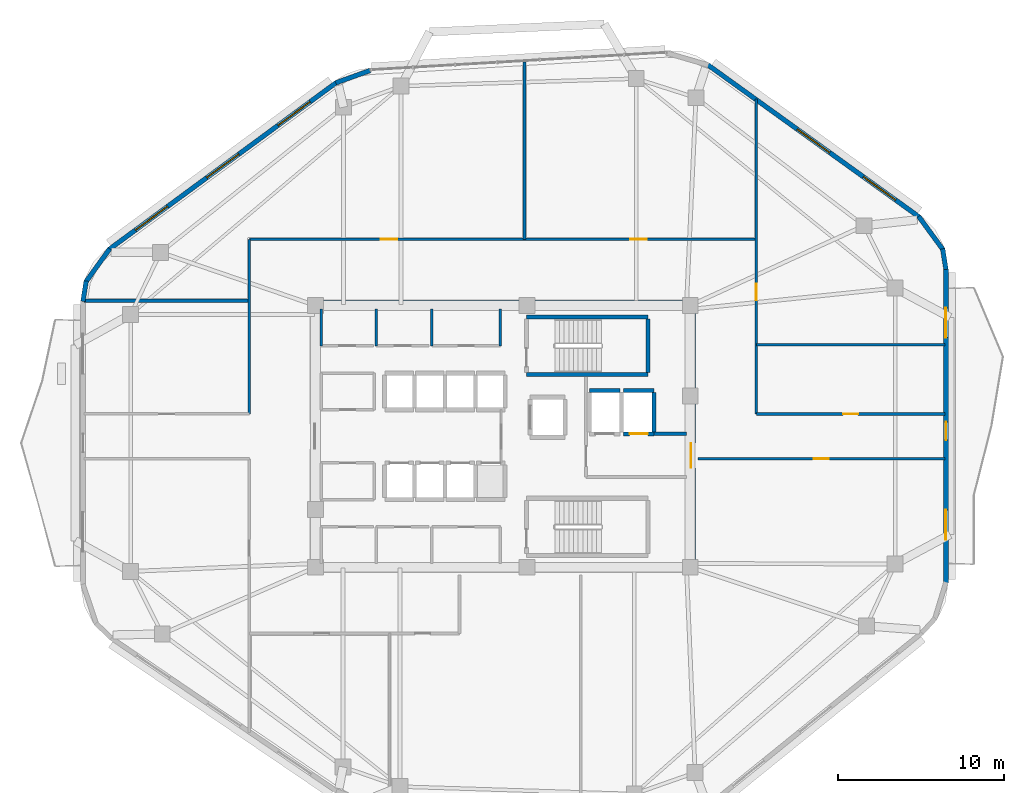
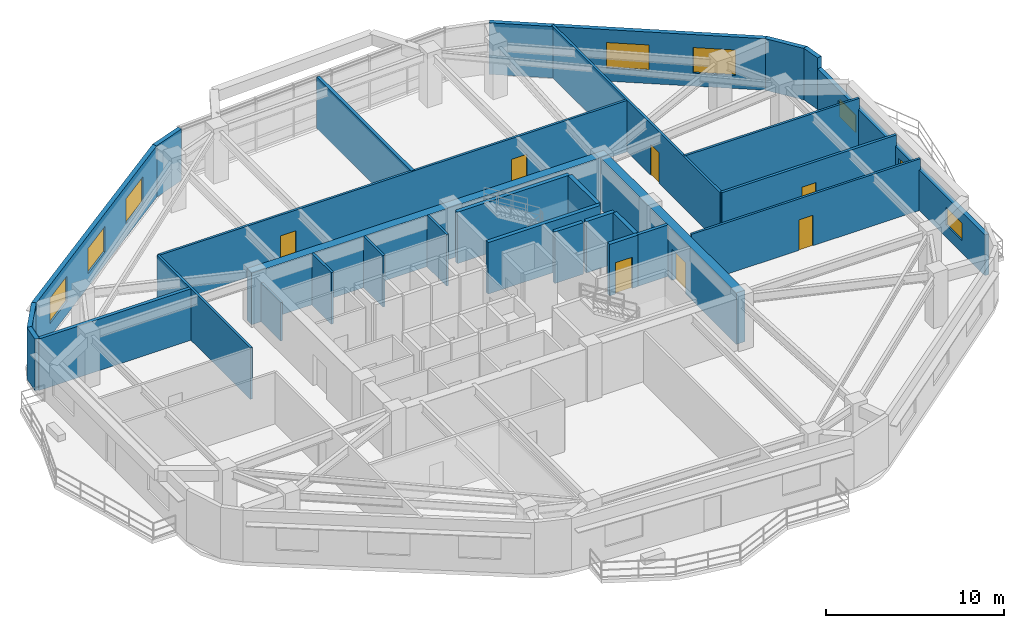
# One storey, part 10 of 15: 30 walls, 8 doors, 7 windows, 15 openings.
"""IFC4 building model written with IfcOpenShell, lengths in metres."""

from ifc_helpers import new_model, si_unit, direction, frame, frame_2d, origin, place, context, subcontext, project, spatial, rectangle, extrude, material, layer, layer_set, type_object, element, fill, save


model = new_model("IFC4")

# Units and contexts
model_context = context("Model", 3, precision=1e-05, world=origin(), true_north=direction((0.0, 1.0)))
body_context = subcontext(model_context, "Body", "Model", "MODEL_VIEW")
ifc_project = project(units=[si_unit("LENGTHUNIT", "METRE"), si_unit("AREAUNIT", "SQUARE_METRE"), si_unit("VOLUMEUNIT", "CUBIC_METRE"), si_unit("PLANEANGLEUNIT", "RADIAN"), si_unit("MASSUNIT", "GRAM", prefix="KILO")], contexts=[model_context])

# Site, building, storey
site_placement = place(None, origin())
site = spatial("IfcSite", under=ifc_project, at=site_placement, CompositionType="ELEMENT")
building_placement = place(site_placement, origin())
building = spatial("IfcBuilding", under=site, at=building_placement, Name="Zulverin Broadcast Headquarters", CompositionType="ELEMENT")
storey_placement = place(building_placement, frame((0.0, 0.0, 193.39990234375)))
storey = spatial("IfcBuildingStorey", under=building, at=storey_placement, Name="L49", CompositionType="ELEMENT", Elevation=193.39990234375)

# Walls
ifc_material_1 = material(Name="Acoustic drywall steel stud", Category="steel")
ifc_layer_1 = layer(ifc_material_1, 0.199951171875, Name="Acoustic drywall steel stud", Category="steel")
ifc_layer_set_1 = layer_set([ifc_layer_1], Name="Acoustic drywall steel stud")
wall_type_1 = type_object("IfcWallType", Name="WL-ACOU-200", PredefinedType="PARTITIONING", material=ifc_layer_set_1)
wall_1_placement = place(storey_placement, frame((38.300048828125, 37.050048828125, 0.0), z_axis=(0.0, 0.0, 1.0), x_axis=(0.0, 1.0, 0.0)))
element("IfcWall", 1, at=wall_1_placement, inside=storey, type_object=wall_type_1, Name="L49 Room Partition Wall RP-03", PredefinedType="PARTITIONING", context=body_context, shape_type="SweptSolid", body=[
    extrude(rectangle(XDim=10.659423828125, YDim=0.199951171875, at=frame_2d((5.32958984375, 0.0))), origin(), (0.0, 0.0, 1.0), 3.5400390625),
])
ifc_material_2 = material(Name="Double-stud acoustic drywall", Category="gypsum")
ifc_layer_2 = layer(ifc_material_2, 0.219970703125, Name="Double-stud acoustic drywall", Category="gypsum")
ifc_layer_set_2 = layer_set([ifc_layer_2], Name="Double-stud acoustic drywall")
wall_type_2 = type_object("IfcWallType", Name="WL-ACOU-220", PredefinedType="PARTITIONING", material=ifc_layer_set_2)
wall_2_placement = place(storey_placement, frame((11.806396484375, 33.35009765625, 0.0), z_axis=(0.0, 0.0, 1.0), x_axis=(1.0, 0.0, 0.0)))
element("IfcWall", 2, at=wall_2_placement, inside=storey, type_object=wall_type_2, Name="L49 Room Partition Wall RP-14", PredefinedType="PARTITIONING", context=body_context, shape_type="SweptSolid", body=[
    extrude(rectangle(XDim=9.943603515625, YDim=0.219970703125, at=frame_2d((4.9716796875, 0.0))), origin(), (0.0, 0.0, 1.0), 3.5400390625),
])
ifc_material_3 = material(Name="Concrete C60/75", Category="concrete")
ifc_layer_3 = layer(ifc_material_3, 0.550048828125, Name="Concrete C60/75", Category="concrete")
ifc_layer_set_3 = layer_set([ifc_layer_3], Name="Concrete C60/75")
wall_type_3 = type_object("IfcWallType", Name="WL-CORE-550", PredefinedType="SHEAR", material=ifc_layer_set_3)
wall_3_placement = place(storey_placement, frame((25.39990234375, 33.125, 0.0), z_axis=(0.0, 0.0, 1.0), x_axis=(1.0, 0.0, 0.0)))
element("IfcWall", 3, at=wall_3_placement, inside=storey, type_object=wall_type_3, Name="L49 Core North Shear Wall", PredefinedType="SHEAR", context=body_context, shape_type="SweptSolid", body=[
    extrude(rectangle(XDim=23.2001953125, YDim=0.550048828125, at=frame_2d((11.60009765625, 0.0))), origin(), (0.0, 0.0, 1.0), 3.5400390625),
])

# Wall, opening, door
wall_4_placement = place(storey_placement, frame((48.324951171875, 17.550048828125, 0.0), z_axis=(0.0, 0.0, 1.0), x_axis=(0.0, 1.0, 0.0)))
wall_4 = element("IfcWall", 4, at=wall_4_placement, inside=storey, type_object=wall_type_3, Name="L49 Core East Shear Wall", PredefinedType="SHEAR", context=body_context, shape_type="SweptSolid", body=[
    extrude(rectangle(XDim=15.300048828125, YDim=0.550048828125, at=frame_2d((7.64990234375, 0.0))), origin(), (0.0, 0.0, 1.0), 3.5400390625),
])
opening_1_placement = place(wall_4_placement, frame((5.75, 0.0, 0.0)))
opening_1 = element("IfcOpeningElement", 5, at=opening_1_placement, cuts=wall_4, Name="Opening D-L49-CE1", PredefinedType="OPENING", context=body_context, shape_type="SweptSolid", body=[
    extrude(rectangle(XDim=1.5, YDim=2.14990234375, at=frame_2d((0.75, 1.074951171875))), frame((0.0, 0.284912109375, 0.0), z_axis=(0.0, -1.0, 0.0), x_axis=(1.0, 0.0, 0.0)), (0.0, 0.0, 1.0), 0.570068359375),
])
ifc_material_4 = material(Name="Fire-rated glazed steel frame", Category="steel")
door_type_1 = type_object("IfcDoorType", Name="DR-COR-1500", OperationType="DOUBLE_DOOR_SINGLE_SWING", PredefinedType="DOOR", material=ifc_material_4)
door_1_placement = place(opening_1_placement, origin())
door_1 = element("IfcDoor", 6, at=door_1_placement, inside=storey, type_object=door_type_1, Name="L49 Firefighting Lobby East Corridor Door", OperationType="DOUBLE_DOOR_SINGLE_SWING", OverallHeight=2.14990234375, OverallWidth=1.5, PredefinedType="DOOR", context=body_context, shape_type="SweptSolid", body=[
    extrude(rectangle(XDim=1.5, YDim=2.14990234375, at=frame_2d((0.75, 1.074951171875))), frame((0.0, 0.02490234375, 0.0), z_axis=(0.0, -1.0, 0.0), x_axis=(1.0, 0.0, 0.0)), (0.0, 0.0, 1.0), 0.050048828125),
])
fill(opening_1, door_1)

# Wall, openings, door, windows
ifc_material_5 = material(Name="Insulated pale-metal clad concrete spandrel C40/50", Category="concrete")
ifc_layer_4 = layer(ifc_material_5, 0.280029296875, Name="Insulated pale-metal clad concrete spandrel C40/50", Category="concrete")
ifc_layer_set_4 = layer_set([ifc_layer_4], Name="Insulated pale-metal clad concrete spandrel C40/50")
wall_type_4 = type_object("IfcWallType", Name="WL-EXT-280", PredefinedType="STANDARD", material=ifc_layer_set_4)
wall_5_placement = place(storey_placement, frame((63.659912109375, 16.390380859375, 0.0), z_axis=(0.0, 0.0, 1.0), x_axis=(0.0, 1.0, 0.0)))
wall_5 = element("IfcWall", 7, at=wall_5_placement, inside=storey, type_object=wall_type_4, Name="L49 Pale-Metal Clad Spandrel Wall 3", PredefinedType="STANDARD", context=body_context, shape_type="SweptSolid", body=[
    extrude(rectangle(XDim=18.875732421875, YDim=0.280029296875, at=frame_2d((9.43798828125, 0.0))), origin(), (0.0, 0.0, 1.0), 2.7900390625),
])
opening_2_placement = place(wall_5_placement, frame((8.587890625, 0.0, 0.0)))
opening_2 = element("IfcOpeningElement", 8, at=opening_2_placement, cuts=wall_5, Name="Opening D-L49-TR3", PredefinedType="OPENING", context=body_context, shape_type="SweptSolid", body=[
    extrude(rectangle(XDim=1.10009765625, YDim=2.199951171875, at=frame_2d((0.550048828125, 1.10009765625))), frame((0.0, 0.14990234375, 0.0), z_axis=(0.0, -1.0, 0.0), x_axis=(1.0, 0.0, 0.0)), (0.0, 0.0, 1.0), 0.300048828125),
])
opening_3_placement = place(wall_5_placement, frame((2.579345703125, 0.0, 0.85009765625)))
opening_3 = element("IfcOpeningElement", 9, at=opening_3_placement, cuts=wall_5, Name="Opening W-L49-E31", PredefinedType="OPENING", context=body_context, shape_type="SweptSolid", body=[
    extrude(rectangle(XDim=1.800048828125, YDim=1.199951171875, at=frame_2d((0.89990234375, 0.60009765625))), frame((0.0, 0.14990234375, 0.0), z_axis=(0.0, -1.0, 0.0), x_axis=(1.0, 0.0, 0.0)), (0.0, 0.0, 1.0), 0.300048828125),
])
opening_4_placement = place(wall_5_placement, frame((14.74658203125, 0.0, 0.85009765625)))
opening_4 = element("IfcOpeningElement", 10, at=opening_4_placement, cuts=wall_5, Name="Opening W-L49-E32", PredefinedType="OPENING", context=body_context, shape_type="SweptSolid", body=[
    extrude(rectangle(XDim=1.800048828125, YDim=1.199951171875, at=frame_2d((0.89990234375, 0.60009765625))), frame((0.0, 0.14990234375, 0.0), z_axis=(0.0, -1.0, 0.0), x_axis=(1.0, 0.0, 0.0)), (0.0, 0.0, 1.0), 0.300048828125),
])
ifc_material_6 = material(Name="Thermally broken aluminium glazed", Category="aluminium")
door_type_2 = type_object("IfcDoorType", Name="DR-TERR-1100", OperationType="SINGLE_SWING_RIGHT", PredefinedType="DOOR", material=ifc_material_6)
door_2_placement = place(opening_2_placement, origin())
door_2 = element("IfcDoor", 11, at=door_2_placement, inside=storey, type_object=door_type_2, Name="L49 Planted Terrace Glazed Access Door 3", OperationType="SINGLE_SWING_RIGHT", OverallHeight=2.199951171875, OverallWidth=1.10009765625, PredefinedType="DOOR", context=body_context, shape_type="SweptSolid", body=[
    extrude(rectangle(XDim=1.10009765625, YDim=2.199951171875, at=frame_2d((0.550048828125, 1.10009765625))), frame((0.0, 0.02490234375, 0.0), z_axis=(0.0, -1.0, 0.0), x_axis=(1.0, 0.0, 0.0)), (0.0, 0.0, 1.0), 0.050048828125),
])
fill(opening_2, door_2)
ifc_material_7 = material(Name="Pale anodized aluminium frame with solar-control low-E double glazing", Category="aluminium")
window_type_1 = type_object("IfcWindowType", Name="WIN-LOW-1800", PartitioningType="SINGLE_PANEL", PredefinedType="WINDOW", material=ifc_material_7)
window_1_placement = place(opening_3_placement, origin())
window_1 = element("IfcWindow", 12, at=window_1_placement, inside=storey, type_object=window_type_1, Name="L49 Ribbon Glazing Window 3 1", OverallHeight=1.199951171875, OverallWidth=1.800048828125, PartitioningType="SINGLE_PANEL", PredefinedType="WINDOW", context=body_context, shape_type="SweptSolid", body=[
    extrude(rectangle(XDim=1.800048828125, YDim=1.199951171875, at=frame_2d((0.89990234375, 0.60009765625))), frame((0.0, 0.030029296875, 0.0), z_axis=(0.0, -1.0, 0.0), x_axis=(1.0, 0.0, 0.0)), (0.0, 0.0, 1.0), 0.06005859375),
])
fill(opening_3, window_1)
window_2_placement = place(opening_4_placement, origin())
window_2 = element("IfcWindow", 13, at=window_2_placement, inside=storey, type_object=window_type_1, Name="L49 Ribbon Glazing Window 3 2", OverallHeight=1.199951171875, OverallWidth=1.800048828125, PartitioningType="SINGLE_PANEL", PredefinedType="WINDOW", context=body_context, shape_type="SweptSolid", body=[
    extrude(rectangle(XDim=1.800048828125, YDim=1.199951171875, at=frame_2d((0.89990234375, 0.60009765625))), frame((0.0, 0.030029296875, 0.0), z_axis=(0.0, -1.0, 0.0), x_axis=(1.0, 0.0, 0.0)), (0.0, 0.0, 1.0), 0.06005859375),
])
fill(opening_4, window_2)

# Wall, openings, windows
wall_6_placement = place(storey_placement, frame((62.054443359375, 38.3994140625, 0.0), z_axis=(0.0, 0.0, 1.0), x_axis=(-0.81172124793, 0.584045045915, 0.0)))
wall_6 = element("IfcWall", 14, at=wall_6_placement, inside=storey, type_object=wall_type_4, Name="L49 Pale-Metal Clad Spandrel Wall 4", PredefinedType="STANDARD", context=body_context, shape_type="SweptSolid", body=[
    extrude(rectangle(XDim=15.679443359375, YDim=0.280029296875, at=frame_2d((7.83984375, 0.0))), origin(), (0.0, 0.0, 1.0), 3.5400390625),
])
opening_5_placement = place(wall_6_placement, frame((1.74658203125, 0.0, 0.89990234375)))
opening_5 = element("IfcOpeningElement", 15, at=opening_5_placement, cuts=wall_6, Name="Opening W-L49-E41", PredefinedType="OPENING", context=body_context, shape_type="SweptSolid", body=[
    extrude(rectangle(XDim=2.39990234375, YDim=1.75, at=frame_2d((1.199951171875, 0.875))), frame((0.0, 0.14990234375, 0.0), z_axis=(0.0, -1.0, 0.0), x_axis=(1.0, 0.0, 0.0)), (0.0, 0.0, 1.0), 0.300048828125),
])
opening_6_placement = place(wall_6_placement, frame((6.6396484375, 0.0, 0.89990234375)))
opening_6 = element("IfcOpeningElement", 16, at=opening_6_placement, cuts=wall_6, Name="Opening W-L49-E42", PredefinedType="OPENING", context=body_context, shape_type="SweptSolid", body=[
    extrude(rectangle(XDim=2.39990234375, YDim=1.75, at=frame_2d((1.199951171875, 0.875))), frame((0.0, 0.14990234375, 0.0), z_axis=(0.0, -1.0, 0.0), x_axis=(1.0, 0.0, 0.0)), (0.0, 0.0, 1.0), 0.300048828125),
])
window_type_2 = type_object("IfcWindowType", Name="WIN-RIB-2400", PartitioningType="SINGLE_PANEL", PredefinedType="WINDOW", material=ifc_material_7)
window_3_placement = place(opening_5_placement, origin())
window_3 = element("IfcWindow", 17, at=window_3_placement, inside=storey, type_object=window_type_2, Name="L49 Ribbon Glazing Window 4 1", OverallHeight=1.75, OverallWidth=2.39990234375, PartitioningType="SINGLE_PANEL", PredefinedType="WINDOW", context=body_context, shape_type="SweptSolid", body=[
    extrude(rectangle(XDim=2.39990234375, YDim=1.75, at=frame_2d((1.199951171875, 0.875))), frame((0.0, 0.030029296875, 0.0), z_axis=(0.0, -1.0, 0.0), x_axis=(1.0, 0.0, 0.0)), (0.0, 0.0, 1.0), 0.06005859375),
])
fill(opening_5, window_3)
window_4_placement = place(opening_6_placement, origin())
window_4 = element("IfcWindow", 18, at=window_4_placement, inside=storey, type_object=window_type_2, Name="L49 Ribbon Glazing Window 4 2", OverallHeight=1.75, OverallWidth=2.39990234375, PartitioningType="SINGLE_PANEL", PredefinedType="WINDOW", context=body_context, shape_type="SweptSolid", body=[
    extrude(rectangle(XDim=2.39990234375, YDim=1.75, at=frame_2d((1.199951171875, 0.875))), frame((0.0, 0.030029296875, 0.0), z_axis=(0.0, -1.0, 0.0), x_axis=(1.0, 0.0, 0.0)), (0.0, 0.0, 1.0), 0.06005859375),
])
fill(opening_6, window_4)

wall_7_placement = place(storey_placement, frame((26.986083984375, 46.48779296875, 0.0), z_axis=(0.0, 0.0, 1.0), x_axis=(-0.806097783211, -0.59178236194, 0.0)))
wall_7 = element("IfcWall", 19, at=wall_7_placement, inside=storey, type_object=wall_type_4, Name="L49 Pale-Metal Clad Spandrel Wall 6", PredefinedType="STANDARD", context=body_context, shape_type="SweptSolid", body=[
    extrude(rectangle(XDim=16.958740234375, YDim=0.280029296875, at=frame_2d((8.4794921875, 0.0))), origin(), (0.0, 0.0, 1.0), 3.5400390625),
])
opening_7_placement = place(wall_7_placement, frame((1.959716796875, 0.0, 0.89990234375)))
opening_7 = element("IfcOpeningElement", 20, at=opening_7_placement, cuts=wall_7, Name="Opening W-L49-E61", PredefinedType="OPENING", context=body_context, shape_type="SweptSolid", body=[
    extrude(rectangle(XDim=2.39990234375, YDim=1.75, at=frame_2d((1.199951171875, 0.875))), frame((0.0, 0.14990234375, 0.0), z_axis=(0.0, -1.0, 0.0), x_axis=(1.0, 0.0, 0.0)), (0.0, 0.0, 1.0), 0.300048828125),
])
opening_8_placement = place(wall_7_placement, frame((7.279296875, 0.0, 0.89990234375)))
opening_8 = element("IfcOpeningElement", 21, at=opening_8_placement, cuts=wall_7, Name="Opening W-L49-E62", PredefinedType="OPENING", context=body_context, shape_type="SweptSolid", body=[
    extrude(rectangle(XDim=2.39990234375, YDim=1.75, at=frame_2d((1.199951171875, 0.875))), frame((0.0, 0.14990234375, 0.0), z_axis=(0.0, -1.0, 0.0), x_axis=(1.0, 0.0, 0.0)), (0.0, 0.0, 1.0), 0.300048828125),
])
opening_9_placement = place(wall_7_placement, frame((12.59912109375, 0.0, 0.89990234375)))
opening_9 = element("IfcOpeningElement", 22, at=opening_9_placement, cuts=wall_7, Name="Opening W-L49-E63", PredefinedType="OPENING", context=body_context, shape_type="SweptSolid", body=[
    extrude(rectangle(XDim=2.39990234375, YDim=1.75, at=frame_2d((1.199951171875, 0.875))), frame((0.0, 0.14990234375, 0.0), z_axis=(0.0, -1.0, 0.0), x_axis=(1.0, 0.0, 0.0)), (0.0, 0.0, 1.0), 0.300048828125),
])
window_5_placement = place(opening_7_placement, origin())
window_5 = element("IfcWindow", 23, at=window_5_placement, inside=storey, type_object=window_type_2, Name="L49 Ribbon Glazing Window 6 1", OverallHeight=1.75, OverallWidth=2.39990234375, PartitioningType="SINGLE_PANEL", PredefinedType="WINDOW", context=body_context, shape_type="SweptSolid", body=[
    extrude(rectangle(XDim=2.39990234375, YDim=1.75, at=frame_2d((1.199951171875, 0.875))), frame((0.0, 0.030029296875, 0.0), z_axis=(0.0, -1.0, 0.0), x_axis=(1.0, 0.0, 0.0)), (0.0, 0.0, 1.0), 0.06005859375),
])
fill(opening_7, window_5)
window_6_placement = place(opening_8_placement, origin())
window_6 = element("IfcWindow", 24, at=window_6_placement, inside=storey, type_object=window_type_2, Name="L49 Ribbon Glazing Window 6 2", OverallHeight=1.75, OverallWidth=2.39990234375, PartitioningType="SINGLE_PANEL", PredefinedType="WINDOW", context=body_context, shape_type="SweptSolid", body=[
    extrude(rectangle(XDim=2.39990234375, YDim=1.75, at=frame_2d((1.199951171875, 0.875))), frame((0.0, 0.030029296875, 0.0), z_axis=(0.0, -1.0, 0.0), x_axis=(1.0, 0.0, 0.0)), (0.0, 0.0, 1.0), 0.06005859375),
])
fill(opening_8, window_6)
window_7_placement = place(opening_9_placement, origin())
window_7 = element("IfcWindow", 25, at=window_7_placement, inside=storey, type_object=window_type_2, Name="L49 Ribbon Glazing Window 6 3", OverallHeight=1.75, OverallWidth=2.39990234375, PartitioningType="SINGLE_PANEL", PredefinedType="WINDOW", context=body_context, shape_type="SweptSolid", body=[
    extrude(rectangle(XDim=2.39990234375, YDim=1.75, at=frame_2d((1.199951171875, 0.875))), frame((0.0, 0.030029296875, 0.0), z_axis=(0.0, -1.0, 0.0), x_axis=(1.0, 0.0, 0.0)), (0.0, 0.0, 1.0), 0.06005859375),
])
fill(opening_9, window_7)

# Walls
wall_8_placement = place(storey_placement, frame((63.66162109375, 35.244140625, 0.0), z_axis=(0.0, 0.0, 1.0), x_axis=(-0.157059104921, 0.987589204863, 0.0)))
element("IfcWall", 26, at=wall_8_placement, inside=storey, type_object=wall_type_4, Name="L49 Wind-Shaped Corner Spandrel Wall 3-1", PredefinedType="STANDARD", context=body_context, shape_type="SweptSolid", body=[
    extrude(rectangle(XDim=1.257568359375, YDim=0.280029296875, at=frame_2d((0.62890625, 0.0))), origin(), (0.0, 0.0, 1.0), 3.5400390625),
])
wall_9_placement = place(storey_placement, frame((63.4892578125, 36.425537109375, 0.0), z_axis=(0.0, 0.0, 1.0), x_axis=(-0.590267940876, 0.80720738226, 0.0)))
element("IfcWall", 27, at=wall_9_placement, inside=storey, type_object=wall_type_4, Name="L49 Wind-Shaped Corner Spandrel Wall 3-2", PredefinedType="STANDARD", context=body_context, shape_type="SweptSolid", body=[
    extrude(rectangle(XDim=2.483642578125, YDim=0.280029296875, at=frame_2d((1.24169921875, 0.0))), origin(), (0.0, 0.0, 1.0), 3.5400390625),
])
wall_10_placement = place(storey_placement, frame((29.02197265625, 47.2158203125, 0.0), z_axis=(0.0, 0.0, 1.0), x_axis=(-0.940706330201, -0.339222051643, 0.0)))
element("IfcWall", 28, at=wall_10_placement, inside=storey, type_object=wall_type_4, Name="L49 Wind-Shaped Corner Spandrel Wall 5-1", PredefinedType="STANDARD", context=body_context, shape_type="SweptSolid", body=[
    extrude(rectangle(XDim=2.20166015625, YDim=0.280029296875, at=frame_2d((1.100830078125, 0.0))), origin(), (0.0, 0.0, 1.0), 3.5400390625),
])
wall_11_placement = place(storey_placement, frame((13.346435546875, 36.48291015625, 0.0), z_axis=(0.0, 0.0, 1.0), x_axis=(-0.585128091556, -0.810940883463, 0.0)))
element("IfcWall", 29, at=wall_11_placement, inside=storey, type_object=wall_type_4, Name="L49 Wind-Shaped Corner Spandrel Wall 6-1", PredefinedType="STANDARD", context=body_context, shape_type="SweptSolid", body=[
    extrude(rectangle(XDim=2.459716796875, YDim=0.280029296875, at=frame_2d((1.22998046875, 0.0))), origin(), (0.0, 0.0, 1.0), 3.5400390625),
])
wall_12_placement = place(storey_placement, frame((11.931884765625, 34.54833984375, 0.0), z_axis=(0.0, 0.0, 1.0), x_axis=(-0.155519443181, -0.987832831401, 0.0)))
element("IfcWall", 30, at=wall_12_placement, inside=storey, type_object=wall_type_4, Name="L49 Wind-Shaped Corner Spandrel Wall 6-2", PredefinedType="STANDARD", context=body_context, shape_type="SweptSolid", body=[
    extrude(rectangle(XDim=1.244873046875, YDim=0.280029296875, at=frame_2d((0.62255859375, 0.0))), origin(), (0.0, 0.0, 1.0), 3.5400390625),
])
ifc_material_8 = material(Name="Concrete C40/50", Category="concrete")
ifc_layer_5 = layer(ifc_material_8, 0.199951171875, Name="Concrete C40/50", Category="concrete")
ifc_layer_set_5 = layer_set([ifc_layer_5], Name="Concrete C40/50")
wall_type_5 = type_object("IfcWallType", Name="WL-FFL-200", PredefinedType="SOLIDWALL", material=ifc_layer_set_5)
wall_13_placement = place(storey_placement, frame((46.10009765625, 25.35009765625, 0.0), z_axis=(0.0, 0.0, 1.0), x_axis=(1.0, 0.0, 0.0)))
element("IfcWall", 31, at=wall_13_placement, inside=storey, type_object=wall_type_5, Name="L49 Firefighting Lift Lobby North Wall", PredefinedType="SOLIDWALL", context=body_context, shape_type="SweptSolid", body=[
    extrude(rectangle(XDim=1.949951171875, YDim=0.199951171875, at=frame_2d((0.97509765625, 0.0))), origin(), (0.0, 0.0, 1.0), 3.5400390625),
])
ifc_material_9 = material(Name="Fire-rated gypsum stud partition", Category="gypsum")
ifc_layer_6 = layer(ifc_material_9, 0.14990234375, Name="Fire-rated gypsum stud partition", Category="gypsum")
ifc_layer_set_6 = layer_set([ifc_layer_6], Name="Fire-rated gypsum stud partition")
wall_type_6 = type_object("IfcWallType", Name="WL-PART-150", PredefinedType="PARTITIONING", material=ifc_layer_set_6)
wall_14_placement = place(storey_placement, frame((26.070068359375, 30.64990234375, 0.0), z_axis=(0.0, 0.0, 1.0), x_axis=(0.0, 1.0, 0.0)))
element("IfcWall", 32, at=wall_14_placement, inside=storey, type_object=wall_type_6, Name="L49 Core Male WC West Wall", PredefinedType="PARTITIONING", context=body_context, shape_type="SweptSolid", body=[
    extrude(rectangle(XDim=2.2001953125, YDim=0.14990234375, at=frame_2d((1.10009765625, 0.0))), origin(), (0.0, 0.0, 1.0), 2.64013671875),
])
for number, where, z_axis, x_axis, name in (
    (33, (29.3798828125, 30.64990234375, 0.0), (0.0, 0.0, 1.0), (0.0, 1.0, 0.0), "L49 Core Accessible WC West Wall"),
    (34, (32.72998046875, 30.64990234375, 0.0), (0.0, 0.0, 1.0), (0.0, 1.0, 0.0), "L49 Core Electrical Distribution Riser West Wall"),
    (35, (36.85009765625, 30.64990234375, 0.0), (0.0, 0.0, 1.0), (0.0, 1.0, 0.0), "L49 Core Electrical Distribution Riser East Wall"),
):
    element("IfcWall", number, at=place(storey_placement, frame(where, z_axis=z_axis, x_axis=x_axis)), inside=storey, type_object=wall_type_6, Name=name, PredefinedType="PARTITIONING", context=body_context, shape_type="SweptSolid", body=[
        extrude(rectangle(XDim=2.2001953125, YDim=0.14990234375, at=frame_2d((1.10009765625, 0.0))), origin(), (0.0, 0.0, 1.0), 3.5400390625),
    ])

# Wall, opening, door
wall_15_placement = place(storey_placement, frame((52.25, 26.550048828125, 0.0), z_axis=(0.0, 0.0, 1.0), x_axis=(0.0, 1.0, 0.0)))
wall_15 = element("IfcWall", 36, at=wall_15_placement, inside=storey, type_object=wall_type_6, Name="L49 Gallery Partition Wall CG-01", PredefinedType="PARTITIONING", context=body_context, shape_type="SweptSolid", body=[
    extrude(rectangle(XDim=18.936279296875, YDim=0.14990234375, at=frame_2d((9.46826171875, 0.0))), origin(), (0.0, 0.0, 1.0), 3.5400390625),
])
opening_10_placement = place(wall_15_placement, frame((6.824951171875, 0.0, 0.0)))
opening_10 = element("IfcOpeningElement", 37, at=opening_10_placement, cuts=wall_15, Name="Opening D-L49-09", PredefinedType="OPENING", context=body_context, shape_type="SweptSolid", body=[
    extrude(rectangle(XDim=1.0, YDim=2.1201171875, at=frame_2d((0.5, 1.06005859375))), frame((0.0, 0.0849609375, 0.0), z_axis=(0.0, -1.0, 0.0), x_axis=(1.0, 0.0, 0.0)), (0.0, 0.0, 1.0), 0.169921875),
])
ifc_material_10 = material(Name="Hardwood veneer acoustic leaf", Category="wood")
door_type_3 = type_object("IfcDoorType", Name="DR-OFF-1000", OperationType="SINGLE_SWING_LEFT", PredefinedType="DOOR", material=ifc_material_10)
door_3_placement = place(opening_10_placement, origin())
door_3 = element("IfcDoor", 38, at=door_3_placement, inside=storey, type_object=door_type_3, Name="L49 Audio Mastering Office Door", OperationType="SINGLE_SWING_RIGHT", OverallHeight=2.1201171875, OverallWidth=1.0, PredefinedType="DOOR", context=body_context, shape_type="SweptSolid", body=[
    extrude(rectangle(XDim=1.0, YDim=2.1201171875, at=frame_2d((0.5, 1.06005859375))), frame((0.0, 0.02490234375, 0.0), z_axis=(0.0, -1.0, 0.0), x_axis=(1.0, 0.0, 0.0)), (0.0, 0.0, 1.0), 0.050048828125),
])
fill(opening_10, door_3)

# Wall
wall_16_placement = place(storey_placement, frame((21.75, 26.550048828125, 0.0), z_axis=(0.0, 0.0, 1.0), x_axis=(0.0, 1.0, 0.0)))
element("IfcWall", 39, at=wall_16_placement, inside=storey, type_object=wall_type_6, Name="L49 Gallery Partition Wall CG-07", PredefinedType="PARTITIONING", context=body_context, shape_type="SweptSolid", body=[
    extrude(rectangle(XDim=10.5, YDim=0.14990234375, at=frame_2d((5.25, 0.0))), origin(), (0.0, 0.0, 1.0), 3.5400390625),
])

# Wall, opening, door
wall_17_placement = place(storey_placement, frame((48.739990234375, 23.85009765625, 0.0), z_axis=(0.0, 0.0, 1.0), x_axis=(1.0, 0.0, 0.0)))
wall_17 = element("IfcWall", 40, at=wall_17_placement, inside=storey, type_object=wall_type_6, Name="L49 Gallery Partition Wall CG-10", PredefinedType="PARTITIONING", context=body_context, shape_type="SweptSolid", body=[
    extrude(rectangle(XDim=14.85498046875, YDim=0.14990234375, at=frame_2d((7.427490234375, 0.0))), origin(), (0.0, 0.0, 1.0), 3.5400390625),
])
opening_11_placement = place(wall_17_placement, frame((6.9775390625, 0.0, 0.0)))
opening_11 = element("IfcOpeningElement", 41, at=opening_11_placement, cuts=wall_17, Name="Opening D-L49-07", PredefinedType="OPENING", context=body_context, shape_type="SweptSolid", body=[
    extrude(rectangle(XDim=0.89990234375, YDim=2.10009765625, at=frame_2d((0.449951171875, 1.050048828125))), frame((0.0, 0.0849609375, 0.0), z_axis=(0.0, -1.0, 0.0), x_axis=(1.0, 0.0, 0.0)), (0.0, 0.0, 1.0), 0.169921875),
])
ifc_material_11 = material(Name="Fire-rated hardwood veneer timber leaf", Category="wood")
door_type_4 = type_object("IfcDoorType", Name="DR-ROOM-900", OperationType="SINGLE_SWING_RIGHT", PredefinedType="DOOR", material=ifc_material_11)
door_4_placement = place(opening_11_placement, origin())
door_4 = element("IfcDoor", 42, at=door_4_placement, inside=storey, type_object=door_type_4, Name="L49 Club Bar Door", OperationType="SINGLE_SWING_RIGHT", OverallHeight=2.10009765625, OverallWidth=0.89990234375, PredefinedType="DOOR", context=body_context, shape_type="SweptSolid", body=[
    extrude(rectangle(XDim=0.89990234375, YDim=2.10009765625, at=frame_2d((0.449951171875, 1.050048828125))), frame((0.0, 0.02490234375, 0.0), z_axis=(0.0, -1.0, 0.0), x_axis=(1.0, 0.0, 0.0)), (0.0, 0.0, 1.0), 0.050048828125),
])
fill(opening_11, door_4)

# Wall
wall_18_placement = place(storey_placement, frame((52.25, 30.699951171875, 0.0), z_axis=(0.0, 0.0, 1.0), x_axis=(1.0, 0.0, 0.0)))
element("IfcWall", 43, at=wall_18_placement, inside=storey, type_object=wall_type_6, Name="L49 Room Partition Wall RP-13", PredefinedType="PARTITIONING", context=body_context, shape_type="SweptSolid", body=[
    extrude(rectangle(XDim=11.344970703125, YDim=0.14990234375, at=frame_2d((5.67236328125, 0.0))), origin(), (0.0, 0.0, 1.0), 3.5400390625),
])

# Wall, openings, doors
wall_19_placement = place(storey_placement, frame((21.75, 37.050048828125, 0.0), z_axis=(0.0, 0.0, 1.0), x_axis=(1.0, 0.0, 0.0)))
wall_19 = element("IfcWall", 44, at=wall_19_placement, inside=storey, type_object=wall_type_6, Name="L49 Gallery Partition Wall CG-15", PredefinedType="PARTITIONING", context=body_context, shape_type="SweptSolid", body=[
    extrude(rectangle(XDim=30.5, YDim=0.14990234375, at=frame_2d((15.25, 0.0))), origin(), (0.0, 0.0, 1.0), 3.5400390625),
])
opening_12_placement = place(wall_19_placement, frame((7.89501953125, 0.0, 0.0)))
opening_12 = element("IfcOpeningElement", 45, at=opening_12_placement, cuts=wall_19, Name="Opening D-L49-01", PredefinedType="OPENING", context=body_context, shape_type="SweptSolid", body=[
    extrude(rectangle(XDim=1.0, YDim=2.1201171875, at=frame_2d((0.5, 1.06005859375))), frame((0.0, 0.0849609375, 0.0), z_axis=(0.0, -1.0, 0.0), x_axis=(1.0, 0.0, 0.0)), (0.0, 0.0, 1.0), 0.169921875),
])
opening_13_placement = place(wall_19_placement, frame((22.905029296875, 0.0, 0.0)))
opening_13 = element("IfcOpeningElement", 46, at=opening_13_placement, cuts=wall_19, Name="Opening D-L49-02", PredefinedType="OPENING", context=body_context, shape_type="SweptSolid", body=[
    extrude(rectangle(XDim=1.0, YDim=2.1201171875, at=frame_2d((0.5, 1.06005859375))), frame((0.0, 0.0849609375, 0.0), z_axis=(0.0, -1.0, 0.0), x_axis=(1.0, 0.0, 0.0)), (0.0, 0.0, 1.0), 0.169921875),
])
door_5_placement = place(opening_12_placement, origin())
door_5 = element("IfcDoor", 47, at=door_5_placement, inside=storey, type_object=door_type_3, Name="L49 Audio Mastering Office Door", OperationType="SINGLE_SWING_RIGHT", OverallHeight=2.1201171875, OverallWidth=1.0, PredefinedType="DOOR", context=body_context, shape_type="SweptSolid", body=[
    extrude(rectangle(XDim=1.0, YDim=2.1201171875, at=frame_2d((0.5, 1.06005859375))), frame((0.0, 0.02490234375, 0.0), z_axis=(0.0, -1.0, 0.0), x_axis=(1.0, 0.0, 0.0)), (0.0, 0.0, 1.0), 0.050048828125),
])
fill(opening_12, door_5)
door_6_placement = place(opening_13_placement, origin())
door_6 = element("IfcDoor", 48, at=door_6_placement, inside=storey, type_object=door_type_3, Name="L49 Open Creative Workplace Door", OperationType="SINGLE_SWING_LEFT", OverallHeight=2.1201171875, OverallWidth=1.0, PredefinedType="DOOR", context=body_context, shape_type="SweptSolid", body=[
    extrude(rectangle(XDim=1.0, YDim=2.1201171875, at=frame_2d((0.5, 1.06005859375))), frame((0.0, 0.02490234375, 0.0), z_axis=(0.0, -1.0, 0.0), x_axis=(1.0, 0.0, 0.0)), (0.0, 0.0, 1.0), 0.050048828125),
])
fill(opening_13, door_6)

# Wall, opening, door
ifc_material_12 = material(Name="Fire-rated acoustic stud wall", Category="gypsum")
ifc_layer_7 = layer(ifc_material_12, 0.175048828125, Name="Fire-rated acoustic stud wall", Category="gypsum")
ifc_layer_set_7 = layer_set([ifc_layer_7], Name="Fire-rated acoustic stud wall")
wall_type_7 = type_object("IfcWallType", Name="WL-PART-175", PredefinedType="PARTITIONING", material=ifc_layer_set_7)
wall_20_placement = place(storey_placement, frame((52.25, 26.550048828125, 0.0), z_axis=(0.0, 0.0, 1.0), x_axis=(1.0, 0.0, 0.0)))
wall_20 = element("IfcWall", 49, at=wall_20_placement, inside=storey, type_object=wall_type_7, Name="L49 Gallery Partition Wall CG-12", PredefinedType="PARTITIONING", context=body_context, shape_type="SweptSolid", body=[
    extrude(rectangle(XDim=11.344970703125, YDim=0.175048828125, at=frame_2d((5.67236328125, 0.0))), origin(), (0.0, 0.0, 1.0), 3.5400390625),
])
opening_14_placement = place(wall_20_placement, frame((5.222412109375, 0.0, 0.0)))
opening_14 = element("IfcOpeningElement", 50, at=opening_14_placement, cuts=wall_20, Name="Opening D-L49-08", PredefinedType="OPENING", context=body_context, shape_type="SweptSolid", body=[
    extrude(rectangle(XDim=0.89990234375, YDim=2.10009765625, at=frame_2d((0.449951171875, 1.050048828125))), frame((0.0, 0.097412109375, 0.0), z_axis=(0.0, -1.0, 0.0), x_axis=(1.0, 0.0, 0.0)), (0.0, 0.0, 1.0), 0.195068359375),
])
door_7_placement = place(opening_14_placement, origin())
door_7 = element("IfcDoor", 51, at=door_7_placement, inside=storey, type_object=door_type_4, Name="L49 Client Reception Door", OperationType="SINGLE_SWING_LEFT", OverallHeight=2.10009765625, OverallWidth=0.89990234375, PredefinedType="DOOR", context=body_context, shape_type="SweptSolid", body=[
    extrude(rectangle(XDim=0.89990234375, YDim=2.10009765625, at=frame_2d((0.449951171875, 1.050048828125))), frame((0.0, 0.02490234375, 0.0), z_axis=(0.0, -1.0, 0.0), x_axis=(1.0, 0.0, 0.0)), (0.0, 0.0, 1.0), 0.050048828125),
])
fill(opening_14, door_7)

# Walls
ifc_material_13 = material(Name="Concrete C50/60", Category="concrete")
ifc_layer_8 = layer(ifc_material_13, 0.25, Name="Concrete C50/60", Category="concrete")
ifc_layer_set_8 = layer_set([ifc_layer_8], Name="Concrete C50/60")
wall_type_8 = type_object("IfcWallType", Name="WL-SHAFT-250", PredefinedType="SHEAR", material=ifc_layer_set_8)
for number, where, z_axis, x_axis, name in (
    (52, (38.425048828125, 28.925048828125, 0.0), (0.0, 0.0, 1.0), (1.0, 0.0, 0.0), "L49 ST-1 Enclosure Wall S"),
    (53, (38.425048828125, 32.375, 0.0), (0.0, 0.0, 1.0), (1.0, 0.0, 0.0), "L49 ST-1 Enclosure Wall N"),
):
    element("IfcWall", number, at=place(storey_placement, frame(where, z_axis=z_axis, x_axis=x_axis)), inside=storey, type_object=wall_type_8, Name=name, PredefinedType="SHEAR", context=body_context, shape_type="SweptSolid", body=[
        extrude(rectangle(XDim=7.300048828125, YDim=0.25, at=frame_2d((3.64990234375, 0.0))), origin(), (0.0, 0.0, 1.0), 3.5400390625),
    ])
wall_21_placement = place(storey_placement, frame((45.72509765625, 29.050048828125, 0.0), z_axis=(0.0, 0.0, 1.0), x_axis=(0.0, 1.0, 0.0)))
element("IfcWall", 54, at=wall_21_placement, inside=storey, type_object=wall_type_8, Name="L49 ST-1 Enclosure Wall E", PredefinedType="SHEAR", context=body_context, shape_type="SweptSolid", body=[
    extrude(rectangle(XDim=3.199951171875, YDim=0.25, at=frame_2d((1.60009765625, 0.0))), origin(), (0.0, 0.0, 1.0), 3.5400390625),
])
wall_22_placement = place(storey_placement, frame((42.199951171875, 27.949951171875, 0.0), z_axis=(0.0, 0.0, 1.0), x_axis=(1.0, 0.0, 0.0)))
element("IfcWall", 55, at=wall_22_placement, inside=storey, type_object=wall_type_8, Name="L49 Lift FFL-1 Shaft Wall N", PredefinedType="SHEAR", context=body_context, shape_type="SweptSolid", body=[
    extrude(rectangle(XDim=1.85009765625, YDim=0.25, at=frame_2d((0.925048828125, 0.0))), origin(), (0.0, 0.0, 1.0), 3.5400390625),
])

# Wall, opening, door
wall_23_placement = place(storey_placement, frame((44.25, 25.35009765625, 0.0), z_axis=(0.0, 0.0, 1.0), x_axis=(1.0, 0.0, 0.0)))
wall_23 = element("IfcWall", 56, at=wall_23_placement, inside=storey, type_object=wall_type_8, Name="L49 Lift FFL-2 Shaft Wall S", PredefinedType="SHEAR", context=body_context, shape_type="SweptSolid", body=[
    extrude(rectangle(XDim=1.85009765625, YDim=0.25, at=frame_2d((0.925048828125, 0.0))), origin(), (0.0, 0.0, 1.0), 3.5400390625),
])
opening_15_placement = place(wall_23_placement, frame((0.375, 0.0, 0.0)))
opening_15 = element("IfcOpeningElement", 57, at=opening_15_placement, cuts=wall_23, Name="Opening LD-FFL-2-L49", PredefinedType="OPENING", context=body_context, shape_type="SweptSolid", body=[
    extrude(rectangle(XDim=1.10009765625, YDim=2.14990234375, at=frame_2d((0.550048828125, 1.074951171875))), frame((0.0, 0.135009765625, 0.0), z_axis=(0.0, -1.0, 0.0), x_axis=(1.0, 0.0, 0.0)), (0.0, 0.0, 1.0), 0.27001953125),
])
ifc_material_14 = material(Name="Fire-rated stainless landing door", Category="steel")
door_type_5 = type_object("IfcDoorType", Name="LD-FFL-1100", OperationType="DOUBLE_DOOR_SLIDING", PredefinedType="DOOR", material=ifc_material_14)
door_8_placement = place(opening_15_placement, origin())
door_8 = element("IfcDoor", 58, at=door_8_placement, inside=storey, type_object=door_type_5, Name="L49 Lift FFL-2 Sliding Landing Door", OperationType="DOUBLE_DOOR_SLIDING", OverallHeight=2.14990234375, OverallWidth=1.10009765625, PredefinedType="DOOR", context=body_context, shape_type="SweptSolid", body=[
    extrude(rectangle(XDim=1.10009765625, YDim=2.14990234375, at=frame_2d((0.550048828125, 1.074951171875))), frame((0.0, 0.02490234375, 0.0), z_axis=(0.0, -1.0, 0.0), x_axis=(1.0, 0.0, 0.0)), (0.0, 0.0, 1.0), 0.050048828125),
])
fill(opening_15, door_8)

# Walls
wall_24_placement = place(storey_placement, frame((44.25, 27.949951171875, 0.0), z_axis=(0.0, 0.0, 1.0), x_axis=(1.0, 0.0, 0.0)))
element("IfcWall", 59, at=wall_24_placement, inside=storey, type_object=wall_type_8, Name="L49 Lift FFL-2 Shaft Wall N", PredefinedType="SHEAR", context=body_context, shape_type="SweptSolid", body=[
    extrude(rectangle(XDim=1.85009765625, YDim=0.25, at=frame_2d((0.925048828125, 0.0))), origin(), (0.0, 0.0, 1.0), 3.5400390625),
])
wall_25_placement = place(storey_placement, frame((46.10009765625, 25.469970703125, 0.0), z_axis=(0.0, 0.0, 1.0), x_axis=(0.0, 1.0, 0.0)))
element("IfcWall", 60, at=wall_25_placement, inside=storey, type_object=wall_type_8, Name="L49 Lift FFL-2 Shaft Wall E", PredefinedType="SHEAR", context=body_context, shape_type="SweptSolid", body=[
    extrude(rectangle(XDim=2.360107421875, YDim=0.25, at=frame_2d((1.18017578125, 0.0))), origin(), (0.0, 0.0, 1.0), 3.5400390625),
])

save(model, "model.ifc")
